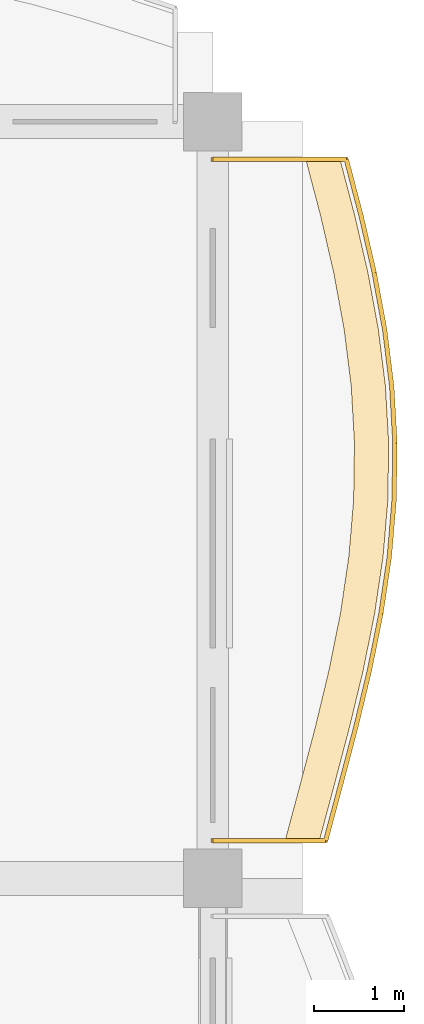
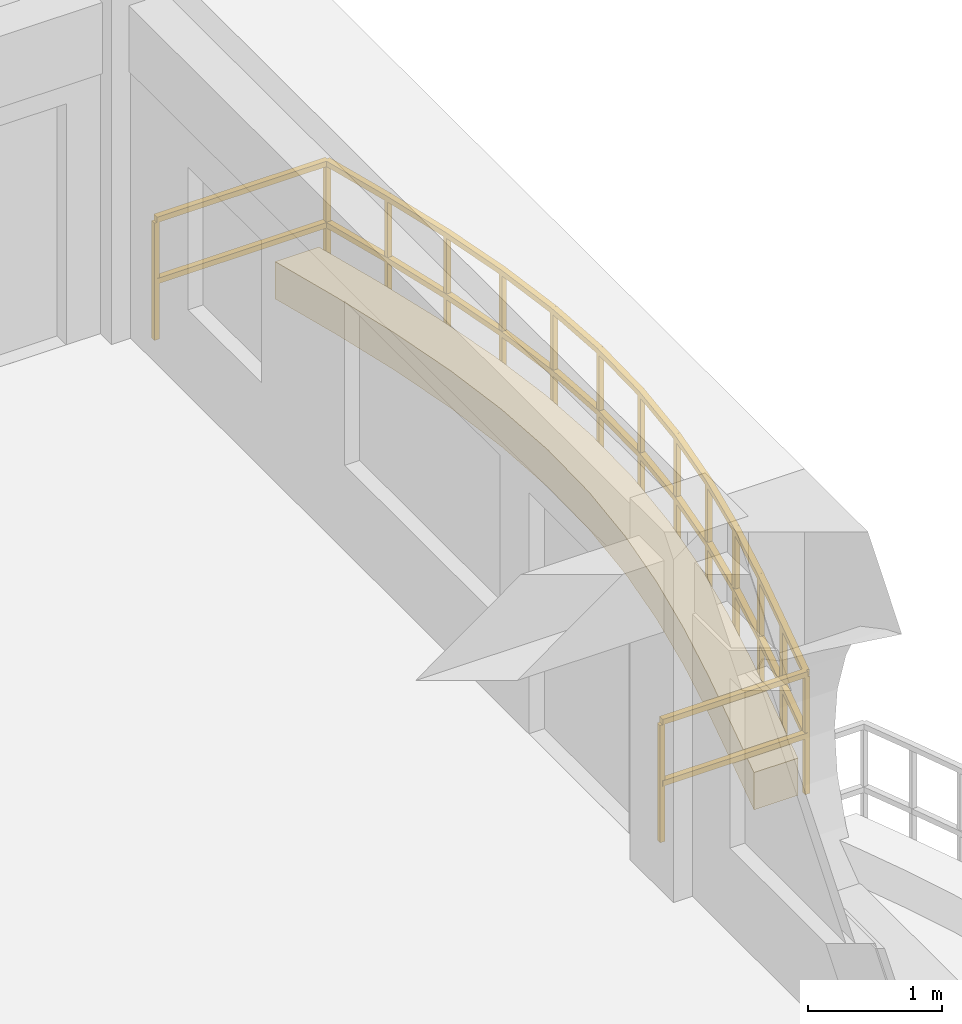
# One storey, part 76 of 76: 1 covering, 1 railing.
"""IFC4 building model written with IfcOpenShell, lengths in metres."""

from ifc_helpers import new_model, si_unit, direction, frame, origin, origin_2d, place, context, subcontext, project, spatial, polyline, rectangle, outline, extrude, material, layer, layer_set, type_object, element, save


model = new_model("IFC4")

# Units and contexts
model_context = context("Model", 3, precision=1e-05, world=origin(), true_north=direction((0.0, 1.0)))
body_context = subcontext(model_context, "Body", "Model", "MODEL_VIEW")
ifc_project = project(units=[si_unit("LENGTHUNIT", "METRE"), si_unit("AREAUNIT", "SQUARE_METRE"), si_unit("VOLUMEUNIT", "CUBIC_METRE"), si_unit("PLANEANGLEUNIT", "RADIAN"), si_unit("MASSUNIT", "GRAM", prefix="KILO"), si_unit("THERMODYNAMICTEMPERATUREUNIT", "KELVIN")], contexts=[model_context])

# Site, building, storey
site_placement = place(None, origin())
site = spatial("IfcSite", under=ifc_project, at=site_placement, CompositionType="ELEMENT")
building_placement = place(site_placement, origin())
building = spatial("IfcBuilding", under=site, at=building_placement, Name="Thalorik Housing Commons", CompositionType="ELEMENT")
storey_placement = place(building_placement, frame((0.0, 0.0, 18.0)))
storey = spatial("IfcBuildingStorey", under=building, at=storey_placement, Name="L05", CompositionType="ELEMENT", Elevation=18.0)

# Covering
ifc_material_1 = material(Name="Planted vegetated substrate and terracotta trough", Category="masonry")
ifc_layer = layer(ifc_material_1, 0.340087890625, Name="Planted vegetated substrate and terracotta trough", Category="masonry")
ifc_layer_set = layer_set([ifc_layer], Name="Planted vegetated substrate and terracotta trough")
covering_type = type_object("IfcCoveringType", Name="ARC-COV-PLANTER", PredefinedType="USERDEFINED", material=ifc_layer_set)
covering_placement = place(storey_placement, origin())
element("IfcCovering", 1, at=covering_placement, inside=storey, type_object=covering_type, Name="L05 Balcony Slab-Edge Planted Trough 5480", ObjectType="PLANTER", PredefinedType="USERDEFINED", context=body_context, shape_type="SweptSolid", body=[
    extrude(outline(polyline([(175.181884765625, 115.6201171875), (175.3505859375, 116.25), (175.5166015625, 116.8798828125), (175.668212890625, 117.510009765625), (175.795166015625, 118.139892578125), (175.888671875, 118.77001953125), (175.94189453125, 119.39990234375), (175.950927734375, 120.030029296875), (175.915283203125, 120.659912109375), (175.837158203125, 121.2900390625), (175.721435546875, 121.919921875), (175.576171875, 122.550048828125), (175.4111328125, 123.179931640625), (175.03125, 123.179931640625), (175.196044921875, 122.550048828125), (175.34130859375, 121.919921875), (175.45703125, 121.2900390625), (175.535400390625, 120.659912109375), (175.571044921875, 120.030029296875), (175.561767578125, 119.39990234375), (175.508544921875, 118.77001953125), (175.415283203125, 118.139892578125), (175.2880859375, 117.510009765625), (175.13671875, 116.8798828125), (174.970703125, 116.25), (174.802001953125, 115.6201171875), (175.181884765625, 115.6201171875)])), origin(), (0.0, 0.0, 1.0), 0.340087890625),
])

# Railing
ifc_material_2 = material(Name="Steel S355", Category="steel")
railing_type = type_object("IfcRailingType", Name="ARC-RL-BAL-112", PredefinedType="BALUSTRADE", material=ifc_material_2)
railing_placement = place(storey_placement, frame((174.0, 115.6201171875, 0.0)))
element("IfcRailing", 2, at=railing_placement, inside=storey, type_object=railing_type, Name="L05 Cushion Balcony Guardrail 164", PredefinedType="BALUSTRADE", context=body_context, shape_type="SweptSolid", body=[
    extrude(rectangle(XDim=0.050048828125, YDim=0.050048828125, at=origin_2d()), frame((0.0, 0.0, 1.09521484375), z_axis=(1.0, 0.0, 0.0), x_axis=(0.0, 1.0, 0.0)), (0.0, 0.0, 1.0), 1.251953125),
    extrude(rectangle(XDim=0.050048828125, YDim=0.050048828125, at=origin_2d()), frame((0.0, 0.0, 0.53515625), z_axis=(1.0, 0.0, 0.0), x_axis=(0.0, 1.0, 0.0)), (0.0, 0.0, 1.0), 1.251953125),
    extrude(rectangle(XDim=0.050048828125, YDim=0.050048828125, at=origin_2d()), frame((1.251953125, 0.0, 1.09521484375), z_axis=(0.258711132493, 0.965954734925, 0.0), x_axis=(-0.965954734925, 0.258711132493, 0.0)), (0.0, 0.0, 1.0), 0.652099609375),
    extrude(rectangle(XDim=0.050048828125, YDim=0.050048828125, at=origin_2d()), frame((1.251953125, 0.0, 0.53515625), z_axis=(0.258711132493, 0.965954734925, 0.0), x_axis=(-0.965954734925, 0.258711132493, 0.0)), (0.0, 0.0, 1.0), 0.652099609375),
    extrude(rectangle(XDim=0.050048828125, YDim=0.050048828125, at=origin_2d()), frame((1.420654296875, 0.6298828125, 1.09521484375), z_axis=(0.25486225232, 0.966977369095, 0.0), x_axis=(-0.966977369095, 0.25486225232, 0.0)), (0.0, 0.0, 1.0), 0.6513671875),
    extrude(rectangle(XDim=0.050048828125, YDim=0.050048828125, at=origin_2d()), frame((1.420654296875, 0.6298828125, 0.53515625), z_axis=(0.25486225232, 0.966977369095, 0.0), x_axis=(-0.966977369095, 0.25486225232, 0.0)), (0.0, 0.0, 1.0), 0.6513671875),
    extrude(rectangle(XDim=0.050048828125, YDim=0.050048828125, at=origin_2d()), frame((1.586669921875, 1.259765625, 1.09521484375), z_axis=(0.23392855603, 0.972253789231, 0.0), x_axis=(-0.972253789231, 0.23392855603, 0.0)), (0.0, 0.0, 1.0), 0.648193359375),
    extrude(rectangle(XDim=0.050048828125, YDim=0.050048828125, at=origin_2d()), frame((1.586669921875, 1.259765625, 0.53515625), z_axis=(0.23392855603, 0.972253789231, 0.0), x_axis=(-0.972253789231, 0.23392855603, 0.0)), (0.0, 0.0, 1.0), 0.648193359375),
    extrude(rectangle(XDim=0.050048828125, YDim=0.050048828125, at=origin_2d()), frame((1.73828125, 1.889892578125, 1.09521484375), z_axis=(0.19757728782, 0.980287312647, 0.0), x_axis=(-0.980287312647, 0.19757728782, 0.0)), (0.0, 0.0, 1.0), 0.642578125),
    extrude(rectangle(XDim=0.050048828125, YDim=0.050048828125, at=origin_2d()), frame((1.73828125, 1.889892578125, 0.53515625), z_axis=(0.19757728782, 0.980287312647, 0.0), x_axis=(-0.980287312647, 0.19757728782, 0.0)), (0.0, 0.0, 1.0), 0.642578125),
    extrude(rectangle(XDim=0.050048828125, YDim=0.050048828125, at=origin_2d()), frame((1.865234375, 2.519775390625, 1.09521484375), z_axis=(0.146409755839, 0.989224030943, 0.0), x_axis=(-0.989224030943, 0.146409755839, 0.0)), (0.0, 0.0, 1.0), 0.636962890625),
    extrude(rectangle(XDim=0.050048828125, YDim=0.050048828125, at=origin_2d()), frame((1.865234375, 2.519775390625, 0.53515625), z_axis=(0.146409755839, 0.989224030943, 0.0), x_axis=(-0.989224030943, 0.146409755839, 0.0)), (0.0, 0.0, 1.0), 0.636962890625),
    extrude(rectangle(XDim=0.050048828125, YDim=0.050048828125, at=origin_2d()), frame((1.95849609375, 3.14990234375, 1.09521484375), z_axis=(0.084196095588, 0.99644920467, 0.0), x_axis=(-0.99644920467, 0.084196095588, 0.0)), (0.0, 0.0, 1.0), 0.632080078125),
    extrude(rectangle(XDim=0.050048828125, YDim=0.050048828125, at=origin_2d()), frame((1.95849609375, 3.14990234375, 0.53515625), z_axis=(0.084196095588, 0.99644920467, 0.0), x_axis=(-0.99644920467, 0.084196095588, 0.0)), (0.0, 0.0, 1.0), 0.632080078125),
    extrude(rectangle(XDim=0.050048828125, YDim=0.050048828125, at=origin_2d()), frame((2.01171875, 3.77978515625, 1.09521484375), z_axis=(0.01472138013, 0.999891634612, 0.0), x_axis=(-0.999891634612, 0.01472138013, 0.0)), (0.0, 0.0, 1.0), 0.630126953125),
    extrude(rectangle(XDim=0.050048828125, YDim=0.050048828125, at=origin_2d()), frame((2.01171875, 3.77978515625, 0.53515625), z_axis=(0.01472138013, 0.999891634612, 0.0), x_axis=(-0.999891634612, 0.01472138013, 0.0)), (0.0, 0.0, 1.0), 0.630126953125),
    extrude(rectangle(XDim=0.050048828125, YDim=0.050048828125, at=origin_2d()), frame((2.02099609375, 4.409912109375, 1.09521484375), z_axis=(-0.05649875572, 0.998402669569, 0.0), x_axis=(-0.998402669569, -0.05649875572, 0.0)), (0.0, 0.0, 1.0), 0.630859375),
    extrude(rectangle(XDim=0.050048828125, YDim=0.050048828125, at=origin_2d()), frame((2.02099609375, 4.409912109375, 0.53515625), z_axis=(-0.05649875572, 0.998402669569, 0.0), x_axis=(-0.998402669569, -0.05649875572, 0.0)), (0.0, 0.0, 1.0), 0.630859375),
    extrude(rectangle(XDim=0.050048828125, YDim=0.050048828125, at=origin_2d()), frame((1.9853515625, 5.039794921875, 1.09521484375), z_axis=(-0.123419535498, 0.992354582928, 0.0), x_axis=(-0.992354582928, -0.123419535498, 0.0)), (0.0, 0.0, 1.0), 0.635009765625),
    extrude(rectangle(XDim=0.050048828125, YDim=0.050048828125, at=origin_2d()), frame((1.9853515625, 5.039794921875, 0.53515625), z_axis=(-0.123419535498, 0.992354582928, 0.0), x_axis=(-0.992354582928, -0.123419535498, 0.0)), (0.0, 0.0, 1.0), 0.635009765625),
    extrude(rectangle(XDim=0.050048828125, YDim=0.050048828125, at=origin_2d()), frame((1.906982421875, 5.669921875, 1.09521484375), z_axis=(-0.180327868852, 0.983606557377, 0.0), x_axis=(-0.983606557377, -0.180327868852, 0.0)), (0.0, 0.0, 1.0), 0.640380859375),
    extrude(rectangle(XDim=0.050048828125, YDim=0.050048828125, at=origin_2d()), frame((1.906982421875, 5.669921875, 0.53515625), z_axis=(-0.180327868852, 0.983606557377, 0.0), x_axis=(-0.983606557377, -0.180327868852, 0.0)), (0.0, 0.0, 1.0), 0.640380859375),
    extrude(rectangle(XDim=0.050048828125, YDim=0.050048828125, at=origin_2d()), frame((1.79150390625, 6.2998046875, 1.09521484375), z_axis=(-0.224997360081, 0.974359373104, 0.0), x_axis=(-0.974359373104, -0.224997360081, 0.0)), (0.0, 0.0, 1.0), 0.646728515625),
    extrude(rectangle(XDim=0.050048828125, YDim=0.050048828125, at=origin_2d()), frame((1.79150390625, 6.2998046875, 0.53515625), z_axis=(-0.224997360081, 0.974359373104, 0.0), x_axis=(-0.974359373104, -0.224997360081, 0.0)), (0.0, 0.0, 1.0), 0.646728515625),
    extrude(rectangle(XDim=0.050048828125, YDim=0.050048828125, at=origin_2d()), frame((1.64599609375, 6.929931640625, 1.09521484375), z_axis=(-0.253108736309, 0.967437836558, 0.0), x_axis=(-0.967437836558, -0.253108736309, 0.0)), (0.0, 0.0, 1.0), 0.651123046875),
    extrude(rectangle(XDim=0.050048828125, YDim=0.050048828125, at=origin_2d()), frame((1.64599609375, 6.929931640625, 0.53515625), z_axis=(-0.253108736309, 0.967437836558, 0.0), x_axis=(-0.967437836558, -0.253108736309, 0.0)), (0.0, 0.0, 1.0), 0.651123046875),
    extrude(rectangle(XDim=0.050048828125, YDim=0.050048828125, at=origin_2d()), frame((1.481201171875, 7.559814453125, 1.09521484375), z_axis=(-1.0, 0.0, 0.0), x_axis=(0.0, -1.0, 0.0)), (0.0, 0.0, 1.0), 1.481201171875),
    extrude(rectangle(XDim=0.050048828125, YDim=0.050048828125, at=origin_2d()), frame((1.481201171875, 7.559814453125, 0.53515625), z_axis=(-1.0, 0.0, 0.0), x_axis=(0.0, -1.0, 0.0)), (0.0, 0.0, 1.0), 1.481201171875),
    extrude(rectangle(XDim=0.0419921875, YDim=0.0419921875, at=origin_2d()), origin(), (0.0, 0.0, 1.0), 1.070068359375),
    extrude(rectangle(XDim=0.0419921875, YDim=0.0419921875, at=origin_2d()), frame((1.251953125, 0.0, 0.0)), (0.0, 0.0, 1.0), 1.070068359375),
    extrude(rectangle(XDim=0.0419921875, YDim=0.0419921875, at=origin_2d()), frame((1.420654296875, 0.6298828125, 0.0)), (0.0, 0.0, 1.0), 1.070068359375),
    extrude(rectangle(XDim=0.0419921875, YDim=0.0419921875, at=origin_2d()), frame((1.586669921875, 1.259765625, 0.0)), (0.0, 0.0, 1.0), 1.070068359375),
    extrude(rectangle(XDim=0.0419921875, YDim=0.0419921875, at=origin_2d()), frame((1.73828125, 1.889892578125, 0.0)), (0.0, 0.0, 1.0), 1.070068359375),
    extrude(rectangle(XDim=0.0419921875, YDim=0.0419921875, at=origin_2d()), frame((1.865234375, 2.519775390625, 0.0)), (0.0, 0.0, 1.0), 1.070068359375),
    extrude(rectangle(XDim=0.0419921875, YDim=0.0419921875, at=origin_2d()), frame((1.95849609375, 3.14990234375, 0.0)), (0.0, 0.0, 1.0), 1.070068359375),
    extrude(rectangle(XDim=0.0419921875, YDim=0.0419921875, at=origin_2d()), frame((2.01171875, 3.77978515625, 0.0)), (0.0, 0.0, 1.0), 1.070068359375),
    extrude(rectangle(XDim=0.0419921875, YDim=0.0419921875, at=origin_2d()), frame((2.02099609375, 4.409912109375, 0.0)), (0.0, 0.0, 1.0), 1.070068359375),
    extrude(rectangle(XDim=0.0419921875, YDim=0.0419921875, at=origin_2d()), frame((1.9853515625, 5.039794921875, 0.0)), (0.0, 0.0, 1.0), 1.070068359375),
    extrude(rectangle(XDim=0.0419921875, YDim=0.0419921875, at=origin_2d()), frame((1.906982421875, 5.669921875, 0.0)), (0.0, 0.0, 1.0), 1.070068359375),
    extrude(rectangle(XDim=0.0419921875, YDim=0.0419921875, at=origin_2d()), frame((1.79150390625, 6.2998046875, 0.0)), (0.0, 0.0, 1.0), 1.070068359375),
    extrude(rectangle(XDim=0.0419921875, YDim=0.0419921875, at=origin_2d()), frame((1.64599609375, 6.929931640625, 0.0)), (0.0, 0.0, 1.0), 1.070068359375),
    extrude(rectangle(XDim=0.0419921875, YDim=0.0419921875, at=origin_2d()), frame((1.481201171875, 7.559814453125, 0.0)), (0.0, 0.0, 1.0), 1.070068359375),
    extrude(rectangle(XDim=0.0419921875, YDim=0.0419921875, at=origin_2d()), frame((0.0, 7.559814453125, 0.0)), (0.0, 0.0, 1.0), 1.070068359375),
])

save(model, "model.ifc")
